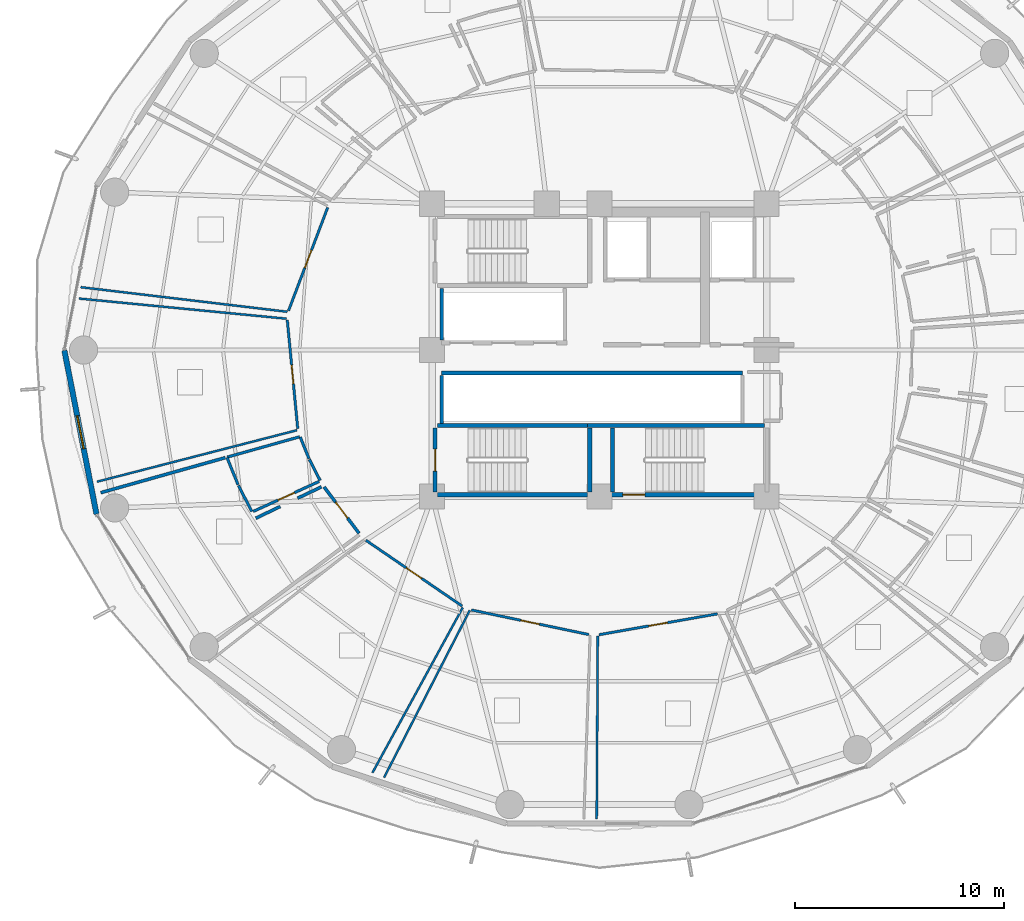
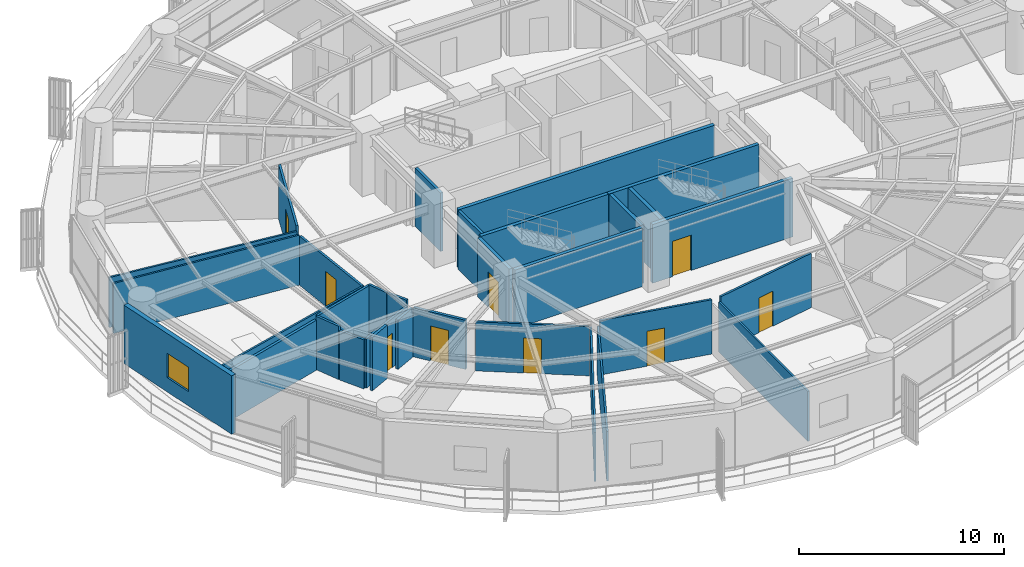
# One storey, part 28 of 36: 32 walls, 9 doors, 1 window, 10 openings.
"""IFC4 building model written with IfcOpenShell, lengths in metres."""

import ifcopenshell
import ifcopenshell.guid

model = None  # the IFC model being written
_history = None  # IfcOwnerHistory: only IFC2X3 demands one
_inside = {}  # id of a spatial element -> (the spatial element, [elements in it])
_under = {}  # id of a project, library or spatial element -> (it, [spatial elements below it])
_declared = {}  # id of a project -> (the project, [libraries it declares])
_typed = {}  # id of a type object -> (the type object, [elements of that type])
_made_of = {}  # id of a material, layer set ... -> (it, [elements and type objects made of it])


def new_model(schema):
    """Start an empty IFC model of exactly this schema.

    Asked for "IFC4X3", IfcOpenShell would pick the latest addendum, in which some entities
    have other attributes; the version numbers below select the first issue.
    IFC2X3 requires an IfcOwnerHistory on every rooted entity: one is made here for all.
    """
    global model, _history
    if schema == "IFC4X3":
        model = ifcopenshell.file(schema_version=(4, 3, 0, 0))
    else:
        model = ifcopenshell.file(schema=schema)
    _inside.clear()
    _under.clear()
    _declared.clear()
    _typed.clear()
    _made_of.clear()
    _history = None
    if model.schema == "IFC2X3":
        org = make("IfcOrganization", Name="unknown")
        user = make(
            "IfcPersonAndOrganization",
            ThePerson=make("IfcPerson", FamilyName="unknown"),
            TheOrganization=org,
        )
        app = make(
            "IfcApplication",
            ApplicationDeveloper=org,
            Version="unknown",
            ApplicationFullName="unknown",
            ApplicationIdentifier="unknown",
        )
        _history = make(
            "IfcOwnerHistory",
            OwningUser=user,
            OwningApplication=app,
            ChangeAction="ADDED",
            CreationDate=0,
        )
    return model


def make(cls, **values):
    """One entity of the class cls with the attributes given. An attribute that is None is left unset."""
    return model.create_entity(
        cls, **{name: value for name, value in values.items() if value is not None}
    )


def rooted(cls, **values):
    """An entity with a GlobalId (a new one), such as an element, a storey or a relation."""
    return make(cls, GlobalId=ifcopenshell.guid.new(), OwnerHistory=_history, **values)


def si_unit(unit_type, name, prefix=None):
    """IfcSIUnit, for example si_unit("LENGTHUNIT", "METRE", prefix="MILLI")."""
    return make("IfcSIUnit", UnitType=unit_type, Prefix=prefix, Name=name)


def assignment(units):
    """IfcUnitAssignment: the units of a project."""
    return None if units is None else make("IfcUnitAssignment", Units=units)


def point(xyz):
    """IfcCartesianPoint."""
    return None if xyz is None else make("IfcCartesianPoint", Coordinates=xyz)


def direction(xyz):
    """IfcDirection."""
    return None if xyz is None else make("IfcDirection", DirectionRatios=xyz)


def frame(location, z_axis=None, x_axis=None):
    """IfcAxis2Placement3D, a coordinate frame: its origin and axes. An axis left out is left unset."""
    return make(
        "IfcAxis2Placement3D",
        Location=point(location),
        Axis=direction(z_axis),
        RefDirection=direction(x_axis),
    )


def frame_2d(location, x_axis=None):
    """IfcAxis2Placement2D, a coordinate frame in the plane: its origin and x axis."""
    return make(
        "IfcAxis2Placement2D", Location=point(location), RefDirection=direction(x_axis)
    )


def origin():
    """The frame at (0, 0, 0) with its axes left unset."""
    return frame((0.0, 0.0, 0.0))


def place(relative_to, where):
    """IfcLocalPlacement: puts the frame where relative to a parent placement (None: the world)."""
    return make(
        "IfcLocalPlacement", PlacementRelTo=relative_to, RelativePlacement=where
    )


def context(
    kind, dimensions, precision=None, world=None, true_north=None, identifier=None
):
    """IfcGeometricRepresentationContext, for example the 3D "Model" context."""
    return make(
        "IfcGeometricRepresentationContext",
        ContextIdentifier=identifier,
        ContextType=kind,
        CoordinateSpaceDimension=dimensions,
        Precision=precision,
        WorldCoordinateSystem=world,
        TrueNorth=true_north,
    )


def subcontext(parent, identifier, kind, view, scale=None):
    """IfcGeometricRepresentationSubContext, for example "Body" below "Model"."""
    return make(
        "IfcGeometricRepresentationSubContext",
        ContextIdentifier=identifier,
        ContextType=kind,
        ParentContext=parent,
        TargetScale=scale,
        TargetView=view,
    )


def project(units=None, contexts=None):
    """IfcProject with its units and contexts."""
    return rooted(
        "IfcProject",
        Name="project",
        RepresentationContexts=contexts,
        UnitsInContext=assignment(units),
    )


def spatial(cls, under=None, at=None, **own):
    """A site, building, storey or space (cls), placed at a placement, below another one or the project."""
    s = rooted(cls, ObjectPlacement=at, **own)
    if under is not None:
        _under.setdefault(under.id(), (under, []))[1].append(s)
    return s


def profile(cls, at=None, kind="AREA", **sizes):
    """A parametric profile (cls). Its sizes go by their IFC names, for example OverallWidth=200.0."""
    return make(cls, ProfileType=kind, Position=at, **sizes)


def rectangle(**sizes):
    """IfcRectangleProfileDef."""
    return profile("IfcRectangleProfileDef", **sizes)


def extrude(swept, where, along, depth):
    """IfcExtrudedAreaSolid: the profile swept, set in the frame where, extruded along a direction by depth."""
    return make(
        "IfcExtrudedAreaSolid",
        SweptArea=swept,
        Position=where,
        ExtrudedDirection=direction(along),
        Depth=depth,
    )


def shape(context_of_items, identifier, shape_type, items):
    """IfcShapeRepresentation: the items that make up one representation, for example the "Body"."""
    return make(
        "IfcShapeRepresentation",
        ContextOfItems=context_of_items,
        RepresentationIdentifier=identifier,
        RepresentationType=shape_type,
        Items=items,
    )


def material(Name=None, Category=None):
    """IfcMaterial."""
    return make("IfcMaterial", Name=Name, Category=Category)


def layer(
    of_material, thickness, ventilated=None, Name=None, Category=None, Priority=None
):
    """IfcMaterialLayer: one layer of a wall or slab, of a material (None: an air gap)."""
    return make(
        "IfcMaterialLayer",
        Material=of_material,
        LayerThickness=thickness,
        IsVentilated=ventilated,
        Name=Name,
        Category=Category,
        Priority=Priority,
    )


def layer_set(layers, Name=None):
    """IfcMaterialLayerSet."""
    return make("IfcMaterialLayerSet", MaterialLayers=layers, LayerSetName=Name)


def made_of(thing, what):
    """Note that an element or type object is made of a material, layer set ...; save() writes the relation."""
    if what is not None:
        _made_of.setdefault(what.id(), (what, []))[1].append(thing)
    return thing


def type_object(cls, material=None, **own):
    """A type object (cls), such as IfcWallType, which elements share."""
    return made_of(rooted(cls, **own), material)


def element(
    cls,
    number,
    at=None,
    inside=None,
    cuts=None,
    type_object=None,
    material=None,
    context=None,
    identifier="Body",
    shape_type=None,
    held_by="IfcProductDefinitionShape",
    body=None,
    shapes=None,
    **own,
):
    """One element of the class cls, such as IfcWall. Its Tag is "e" and its number.

    at: its placement. inside: the storey or other place that contains it. cuts: it is an
    opening in that element (IfcRelVoidsElement). A single representation is given by context,
    identifier, shape_type and body (its items); several are given by shapes. held_by: the class
    of the entity that holds the representations. save() writes the other relations.
    """
    e = rooted(cls, Tag="e%d" % number, ObjectPlacement=at, **own)
    if body is not None:
        shapes = [shape(context, identifier, shape_type, body)]
    if shapes is not None:
        e.Representation = make(held_by, Representations=shapes)
    if inside is not None:
        _inside.setdefault(inside.id(), (inside, []))[1].append(e)
    if cuts is not None:
        rooted(
            "IfcRelVoidsElement", RelatingBuildingElement=cuts, RelatedOpeningElement=e
        )
    if type_object is not None:
        _typed.setdefault(type_object.id(), (type_object, []))[1].append(e)
    return made_of(e, material)


def fill(opening, filler):
    """IfcRelFillsElement: the door or window that sits in an opening."""
    return rooted(
        "IfcRelFillsElement",
        RelatingOpeningElement=opening,
        RelatedBuildingElement=filler,
    )


def aggregate(whole, parts):
    """IfcRelAggregates: a whole, such as a stair, and the parts it consists of."""
    return rooted("IfcRelAggregates", RelatingObject=whole, RelatedObjects=parts)


def save(model, path):
    """Write the relations noted so far, then the file.

    IfcRelAggregates (storeys below a building ...), IfcRelContainedInSpatialStructure (elements
    in a storey), IfcRelDefinesByType, IfcRelAssociatesMaterial and IfcRelDeclares: one each for
    every whole, place, type object, material and project.
    """
    for whole, parts in _under.values():
        aggregate(whole, parts)
    for where, things in _inside.values():
        rooted(
            "IfcRelContainedInSpatialStructure",
            RelatedElements=things,
            RelatingStructure=where,
        )
    for kind, things in _typed.values():
        rooted("IfcRelDefinesByType", RelatedObjects=things, RelatingType=kind)
    for what, things in _made_of.values():
        rooted("IfcRelAssociatesMaterial", RelatedObjects=things, RelatingMaterial=what)
    for by, libraries in _declared.values():
        rooted("IfcRelDeclares", RelatingContext=by, RelatedDefinitions=libraries)
    model.write(path)


model = new_model("IFC4")

# Units and contexts
model_context = context("Model", 3, precision=1e-05, world=origin(), true_north=direction((0.0, 1.0)))
body_context = subcontext(model_context, "Body", "Model", "MODEL_VIEW")
ifc_project = project(units=[si_unit("LENGTHUNIT", "METRE"), si_unit("AREAUNIT", "SQUARE_METRE"), si_unit("VOLUMEUNIT", "CUBIC_METRE"), si_unit("PLANEANGLEUNIT", "RADIAN"), si_unit("MASSUNIT", "GRAM", prefix="KILO")], contexts=[model_context])

# Site, building, storey
site_placement = place(None, origin())
site = spatial("IfcSite", under=ifc_project, at=site_placement, CompositionType="ELEMENT")
building_placement = place(site_placement, origin())
building = spatial("IfcBuilding", under=site, at=building_placement, Name="Kelanora Arch Commons", CompositionType="ELEMENT")
storey_placement = place(building_placement, frame((0.0, 0.0, 102.60009765625)))
storey = spatial("IfcBuildingStorey", under=building, at=storey_placement, Name="L26", CompositionType="ELEMENT", Elevation=102.60009765625)

# Walls
ifc_material_1 = material(Name="Autoclaved aerated concrete blockwork with fire plaster", Category="masonry")
ifc_layer_1 = layer(ifc_material_1, 0.14990234375)
ifc_layer_set_1 = layer_set([ifc_layer_1], Name="Autoclaved aerated concrete blockwork with fire plaster")
wall_type_1 = type_object("IfcWallType", Name="W-COMP-150", PredefinedType="PARTITIONING", material=ifc_layer_set_1)
wall_1_placement = place(storey_placement, frame((66.4599609375, 58.47998046875, 0.0), z_axis=(0.0, 0.0, 1.0), x_axis=(0.0, 1.0, 0.0)))
element("IfcWall", 1, at=wall_1_placement, inside=storey, type_object=wall_type_1, Name="Low-Rise Lift Bank West Wall L26", PredefinedType="PARTITIONING", context=body_context, shape_type="SweptSolid", body=[
    extrude(rectangle(XDim=2.4599609375, YDim=0.14990234375, at=frame_2d((1.22998046875, 0.0))), origin(), (0.0, 0.0, 1.0), 3.47998046875),
])
wall_2_placement = place(storey_placement, frame((66.4599609375, 54.47998046875, 0.0), z_axis=(0.0, 0.0, 1.0), x_axis=(0.0, 1.0, 0.0)))
element("IfcWall", 2, at=wall_2_placement, inside=storey, type_object=wall_type_1, Name="South Lift Bank West Wall L26", PredefinedType="PARTITIONING", context=body_context, shape_type="SweptSolid", body=[
    extrude(rectangle(XDim=2.2900390625, YDim=0.14990234375, at=frame_2d((1.14501953125, 0.0))), origin(), (0.0, 0.0, 1.0), 3.47998046875),
])

# Wall, opening, door
wall_3_placement = place(storey_placement, frame((60.8271484375, 51.4501953125, 0.0), z_axis=(0.0, 0.0, 1.0), x_axis=(0.602330864847, -0.798246534131, 0.0)))
wall_3 = element("IfcWall", 3, at=wall_3_placement, inside=storey, type_object=wall_type_1, Name="Co-Living Studio L26-09 Entry Partition", PredefinedType="PARTITIONING", context=body_context, shape_type="SweptSolid", body=[
    extrude(rectangle(XDim=2.77880859375, YDim=0.14990234375, at=frame_2d((1.389404296875, 0.0))), origin(), (0.0, 0.0, 1.0), 2.9248046875),
])
opening_1_placement = place(wall_3_placement, frame((0.9140625, 0.0, 0.0)))
opening_1 = element("IfcOpeningElement", 4, at=opening_1_placement, cuts=wall_3, Name="Opening D-CLU1", PredefinedType="OPENING", context=body_context, shape_type="SweptSolid", body=[
    extrude(rectangle(XDim=0.949951171875, YDim=2.080078125, at=frame_2d((0.47509765625, 1.0400390625))), frame((0.0, 0.0849609375, 0.0), z_axis=(0.0, -1.0, 0.0), x_axis=(1.0, 0.0, 0.0)), (0.0, 0.0, 1.0), 0.169921875),
])
ifc_material_2 = material(Name="Solid-core acoustic timber cluster entry fire door", Category="wood")
door_type_1 = type_object("IfcDoorType", Name="D-CLU-95", OperationType="NOTDEFINED", PredefinedType="DOOR", material=ifc_material_2)
door_1_placement = place(opening_1_placement, origin())
door_1 = element("IfcDoor", 5, at=door_1_placement, inside=storey, type_object=door_type_1, Name="Co-Living Studio L26-09 Door", OperationType="SINGLE_SWING_LEFT", OverallHeight=2.080078125, OverallWidth=0.949951171875, PredefinedType="DOOR", context=body_context, shape_type="SweptSolid", body=[
    extrude(rectangle(XDim=0.949951171875, YDim=2.080078125, at=frame_2d((0.47509765625, 1.0400390625))), frame((0.0, 0.02490234375, 0.0), z_axis=(0.0, -1.0, 0.0), x_axis=(1.0, 0.0, 0.0)), (0.0, 0.0, 1.0), 0.050048828125),
])
fill(opening_1, door_1)

# Walls
wall_4_placement = place(storey_placement, frame((50.1455078125, 51.17578125, 0.0), z_axis=(0.0, 0.0, 1.0), x_axis=(0.962685643461, 0.270622157028, 0.0)))
element("IfcWall", 6, at=wall_4_placement, inside=storey, type_object=wall_type_1, Name="Co-Living Studio L26-09 Enclosure Partition 5", PredefinedType="PARTITIONING", context=body_context, shape_type="SweptSolid", body=[
    extrude(rectangle(XDim=6.18701171875, YDim=0.14990234375, at=frame_2d((3.093505859375, 0.0))), origin(), (0.0, 0.0, 1.0), 2.974853515625),
])
wall_5_placement = place(storey_placement, frame((57.55908203125, 49.953125, 0.0), z_axis=(0.0, 0.0, 1.0), x_axis=(0.902185129063, 0.431349038364, 0.0)))
element("IfcWall", 7, at=wall_5_placement, inside=storey, type_object=wall_type_1, Name="Co-Living Studio L26-09 Enclosure Partition 7", PredefinedType="PARTITIONING", context=body_context, shape_type="SweptSolid", body=[
    extrude(rectangle(XDim=1.29833984375, YDim=0.14990234375, at=frame_2d((0.649169921875, 0.0))), origin(), (0.0, 0.0, 1.0), 3.1748046875),
])
wall_6_placement = place(storey_placement, frame((59.560546875, 50.909912109375, 0.0), z_axis=(0.0, 0.0, 1.0), x_axis=(0.902228812368, 0.431257660955, 0.0)))
element("IfcWall", 8, at=wall_6_placement, inside=storey, type_object=wall_type_1, Name="Co-Living Studio L26-09 Enclosure Partition 7", PredefinedType="PARTITIONING", context=body_context, shape_type="SweptSolid", body=[
    extrude(rectangle(XDim=1.266357421875, YDim=0.14990234375, at=frame_2d((0.63330078125, 0.0))), origin(), (0.0, 0.0, 1.0), 2.9248046875),
])

# Wall, opening, window
ifc_material_3 = material(Name="Precast concrete C40/50 with terracotta rainscreen", Category="masonry")
ifc_layer_2 = layer(ifc_material_3, 0.260009765625)
ifc_layer_set_2 = layer_set([ifc_layer_2], Name="Precast concrete C40/50 with terracotta rainscreen")
wall_type_2 = type_object("IfcWallType", Name="W-EXT-TC", PredefinedType="SOLIDWALL", material=ifc_layer_set_2)
wall_7_placement = place(storey_placement, frame((48.40283203125, 57.9853515625, 0.0), z_axis=(0.0, 0.0, 1.0), x_axis=(0.192581843632, -0.981280914674, 0.0)))
wall_7 = element("IfcWall", 9, at=wall_7_placement, inside=storey, type_object=wall_type_2, Name="Terracotta Exterior Wall L26-B09", PredefinedType="SOLIDWALL", context=body_context, shape_type="SweptSolid", body=[
    extrude(rectangle(XDim=7.986572265625, YDim=0.260009765625, at=frame_2d((3.9931640625, 0.0))), origin(), (0.0, 0.0, 1.0), 3.474853515625),
])
opening_2_placement = place(wall_7_placement, frame((3.193115234375, 0.0, 0.85009765625)))
opening_2 = element("IfcOpeningElement", 10, at=opening_2_placement, cuts=wall_7, Name="Opening WN-01", PredefinedType="OPENING", context=body_context, shape_type="SweptSolid", body=[
    extrude(rectangle(XDim=1.60009765625, YDim=1.449951171875, at=frame_2d((0.800048828125, 0.72509765625))), frame((0.0, 0.14013671875, 0.0), z_axis=(0.0, -1.0, 0.0), x_axis=(1.0, 0.0, 0.0)), (0.0, 0.0, 1.0), 0.280029296875),
])
ifc_material_4 = material(Name="Terracotta-anodised aluminium frame with operable low-E glazing", Category="masonry")
window_type = type_object("IfcWindowType", Name="WIN-CL-18", PartitioningType="DOUBLE_PANEL_VERTICAL", PredefinedType="WINDOW", material=ifc_material_4)
window_placement = place(opening_2_placement, origin())
window = element("IfcWindow", 11, at=window_placement, inside=storey, type_object=window_type, Name="Co-Living Operable Window L26-B09", OverallHeight=1.449951171875, OverallWidth=1.60009765625, PartitioningType="SINGLE_PANEL", PredefinedType="WINDOW", context=body_context, shape_type="SweptSolid", body=[
    extrude(rectangle(XDim=1.60009765625, YDim=1.449951171875, at=frame_2d((0.800048828125, 0.72509765625))), frame((0.0, 0.030029296875, 0.0), z_axis=(0.0, -1.0, 0.0), x_axis=(1.0, 0.0, 0.0)), (0.0, 0.0, 1.0), 0.06005859375),
])
fill(opening_2, window)

# Walls
ifc_material_5 = material(Name="Concrete C40/50", Category="concrete")
ifc_layer_3 = layer(ifc_material_5, 0.199951171875)
ifc_layer_set_3 = layer_set([ifc_layer_3], Name="Concrete C40/50")
wall_type_3 = type_object("IfcWallType", Name="W-FFL-200", PredefinedType="SOLIDWALL", material=ifc_layer_set_3)
wall_8_placement = place(storey_placement, frame((66.449951171875, 56.89990234375, 0.0), z_axis=(0.0, 0.0, 1.0), x_axis=(1.0, 0.0, 0.0)))
element("IfcWall", 12, at=wall_8_placement, inside=storey, type_object=wall_type_3, Name="Mid/High/Express Lift Shaft Front L26", PredefinedType="SOLIDWALL", context=body_context, shape_type="SweptSolid", body=[
    extrude(rectangle(XDim=14.400146484375, YDim=0.199951171875, at=frame_2d((7.2001953125, 0.0))), origin(), (0.0, 0.0, 1.0), 3.47998046875),
])
ifc_material_6 = material(Name="Lightweight fire-rated acoustic stud partition")
ifc_layer_4 = layer(ifc_material_6, 0.10009765625)
ifc_layer_set_4 = layer_set([ifc_layer_4], Name="Lightweight fire-rated acoustic stud partition")
wall_type_4 = type_object("IfcWallType", Name="W-PART-100", PredefinedType="PARTITIONING", material=ifc_layer_set_4)
wall_9_placement = place(storey_placement, frame((59.06640625, 59.830810546875, 0.0), z_axis=(0.0, 0.0, 1.0), x_axis=(-0.99298532521, 0.118237658624, 0.0)))
element("IfcWall", 13, at=wall_9_placement, inside=storey, type_object=wall_type_4, Name="Social Sky Lounge L26-07 Enclosure Partition 2", PredefinedType="PARTITIONING", context=body_context, shape_type="SweptSolid", body=[
    extrude(rectangle(XDim=9.950439453125, YDim=0.10009765625, at=frame_2d((4.97509765625, 0.0))), origin(), (0.0, 0.0, 1.0), 2.974853515625),
])
wall_10_placement = place(storey_placement, frame((59.535400390625, 54.1650390625, 0.0), z_axis=(0.0, 0.0, 1.0), x_axis=(-0.968404670054, -0.249384031201, 0.0)))
element("IfcWall", 14, at=wall_10_placement, inside=storey, type_object=wall_type_4, Name="Quiet Seminar Study Room L26-08 Enclosure Partition 2", PredefinedType="PARTITIONING", context=body_context, shape_type="SweptSolid", body=[
    extrude(rectangle(XDim=9.880859375, YDim=0.10009765625, at=frame_2d((4.9404296875, 0.0))), origin(), (0.0, 0.0, 1.0), 2.974853515625),
])
wall_11_placement = place(storey_placement, frame((49.11083984375, 60.463134765625, 0.0), z_axis=(0.0, 0.0, 1.0), x_axis=(0.995310801703, -0.096728527399, 0.0)))
element("IfcWall", 15, at=wall_11_placement, inside=storey, type_object=wall_type_4, Name="Quiet Seminar Study Room L26-08 Enclosure Partition 4", PredefinedType="PARTITIONING", context=body_context, shape_type="SweptSolid", body=[
    extrude(rectangle(XDim=9.95703125, YDim=0.10009765625, at=frame_2d((4.978515625, 0.0))), origin(), (0.0, 0.0, 1.0), 2.974853515625),
])
wall_12_placement = place(storey_placement, frame((67.462890625, 45.682861328125, 0.0), z_axis=(0.0, 0.0, 1.0), x_axis=(-0.479571724153, -0.87750268455, 0.0)))
element("IfcWall", 16, at=wall_12_placement, inside=storey, type_object=wall_type_4, Name="Communal Dining and Social Hall L26-10 Enclosure Partition 2", PredefinedType="PARTITIONING", context=body_context, shape_type="SweptSolid", body=[
    extrude(rectangle(XDim=9.007080078125, YDim=0.10009765625, at=frame_2d((4.50341796875, 0.0))), origin(), (0.0, 0.0, 1.0), 2.9248046875),
])
wall_13_placement = place(storey_placement, frame((63.697265625, 37.547607421875, 0.0), z_axis=(0.0, 0.0, 1.0), x_axis=(0.456266444918, 0.889843205987, 0.0)))
element("IfcWall", 17, at=wall_13_placement, inside=storey, type_object=wall_type_4, Name="Quiet Seminar Study Room L26-11 Enclosure Partition 4", PredefinedType="PARTITIONING", context=body_context, shape_type="SweptSolid", body=[
    extrude(rectangle(XDim=8.984619140625, YDim=0.10009765625, at=frame_2d((4.4921875, 0.0))), origin(), (0.0, 0.0, 1.0), 2.9248046875),
])
wall_14_placement = place(storey_placement, frame((73.869140625, 35.56005859375, 0.0), z_axis=(0.0, 0.0, 1.0), x_axis=(0.005901573079, 0.999982585566, 0.0)))
element("IfcWall", 18, at=wall_14_placement, inside=storey, type_object=wall_type_4, Name="Quiet Seminar Study Room L26-12 Enclosure Partition 4", PredefinedType="PARTITIONING", context=body_context, shape_type="SweptSolid", body=[
    extrude(rectangle(XDim=8.770263671875, YDim=0.10009765625, at=frame_2d((4.38525390625, 0.0))), origin(), (0.0, 0.0, 1.0), 2.974853515625),
])

# Wall, opening, door
ifc_material_7 = material(Name="Acoustic twin-stud fire-rated gypsum partition")
ifc_layer_5 = layer(ifc_material_7, 0.1201171875)
ifc_layer_set_5 = layer_set([ifc_layer_5], Name="Acoustic twin-stud fire-rated gypsum partition")
wall_type_5 = type_object("IfcWallType", Name="W-PART-120", PredefinedType="PARTITIONING", material=ifc_layer_set_5)
wall_15_placement = place(storey_placement, frame((61.001708984375, 64.82080078125, 0.0), z_axis=(0.0, 0.0, 1.0), x_axis=(-0.354853458438, -0.934921934193, 0.0)))
wall_15 = element("IfcWall", 19, at=wall_15_placement, inside=storey, type_object=wall_type_5, Name="Social Sky Lounge L26-07 Entry Partition", PredefinedType="PARTITIONING", context=body_context, shape_type="SweptSolid", body=[
    extrude(rectangle(XDim=5.282470703125, YDim=0.1201171875, at=frame_2d((2.64111328125, 0.0))), origin(), (0.0, 0.0, 1.0), 3.23486328125),
])
opening_3_placement = place(wall_15_placement, frame((2.19091796875, 0.0, 0.0)))
opening_3 = element("IfcOpeningElement", 20, at=opening_3_placement, cuts=wall_15, Name="Opening D-RM1", PredefinedType="OPENING", context=body_context, shape_type="SweptSolid", body=[
    extrude(rectangle(XDim=0.89990234375, YDim=2.080078125, at=frame_2d((0.449951171875, 1.0400390625))), frame((0.0, 0.070068359375, 0.0), z_axis=(0.0, -1.0, 0.0), x_axis=(1.0, 0.0, 0.0)), (0.0, 0.0, 1.0), 0.14013671875),
])
ifc_material_8 = material(Name="Acoustic fire-rated timber study and lounge door", Category="wood")
door_type_2 = type_object("IfcDoorType", Name="D-ROOM-90", OperationType="NOTDEFINED", PredefinedType="DOOR", material=ifc_material_8)
door_2_placement = place(opening_3_placement, origin())
door_2 = element("IfcDoor", 21, at=door_2_placement, inside=storey, type_object=door_type_2, Name="Social Sky Lounge L26-07 Door", OperationType="SINGLE_SWING_RIGHT", OverallHeight=2.080078125, OverallWidth=0.89990234375, PredefinedType="DOOR", context=body_context, shape_type="SweptSolid", body=[
    extrude(rectangle(XDim=0.89990234375, YDim=2.080078125, at=frame_2d((0.449951171875, 1.0400390625))), frame((0.0, 0.02490234375, 0.0), z_axis=(0.0, -1.0, 0.0), x_axis=(1.0, 0.0, 0.0)), (0.0, 0.0, 1.0), 0.050048828125),
])
fill(opening_3, door_2)

wall_16_placement = place(storey_placement, frame((59.06689453125, 59.436279296875, 0.0), z_axis=(0.0, 0.0, 1.0), x_axis=(0.095913591475, -0.995389663886, 0.0)))
wall_16 = element("IfcWall", 22, at=wall_16_placement, inside=storey, type_object=wall_type_5, Name="Quiet Seminar Study Room L26-08 Entry Partition", PredefinedType="PARTITIONING", context=body_context, shape_type="SweptSolid", body=[
    extrude(rectangle(XDim=5.225830078125, YDim=0.1201171875, at=frame_2d((2.61279296875, 0.0))), origin(), (0.0, 0.0, 1.0), 2.9248046875),
])
opening_4_placement = place(wall_16_placement, frame((2.1630859375, 0.0, 0.0)))
opening_4 = element("IfcOpeningElement", 23, at=opening_4_placement, cuts=wall_16, Name="Opening D-RM1", PredefinedType="OPENING", context=body_context, shape_type="SweptSolid", body=[
    extrude(rectangle(XDim=0.89990234375, YDim=2.080078125, at=frame_2d((0.449951171875, 1.0400390625))), frame((0.0, 0.070068359375, 0.0), z_axis=(0.0, -1.0, 0.0), x_axis=(1.0, 0.0, 0.0)), (0.0, 0.0, 1.0), 0.14013671875),
])
door_3_placement = place(opening_4_placement, origin())
door_3 = element("IfcDoor", 24, at=door_3_placement, inside=storey, type_object=door_type_2, Name="Quiet Seminar Study Room L26-08 Door", OperationType="SINGLE_SWING_LEFT", OverallHeight=2.080078125, OverallWidth=0.89990234375, PredefinedType="DOOR", context=body_context, shape_type="SweptSolid", body=[
    extrude(rectangle(XDim=0.89990234375, YDim=2.080078125, at=frame_2d((0.449951171875, 1.0400390625))), frame((0.0, 0.02490234375, 0.0), z_axis=(0.0, -1.0, 0.0), x_axis=(1.0, 0.0, 0.0)), (0.0, 0.0, 1.0), 0.050048828125),
])
fill(opening_4, door_3)

wall_17_placement = place(storey_placement, frame((62.827392578125, 48.899169921875, 0.0), z_axis=(0.0, 0.0, 1.0), x_axis=(0.825618475233, -0.564228795219, 0.0)))
wall_17 = element("IfcWall", 25, at=wall_17_placement, inside=storey, type_object=wall_type_5, Name="Communal Dining and Social Hall L26-10 Entry Partition", PredefinedType="PARTITIONING", context=body_context, shape_type="SweptSolid", body=[
    extrude(rectangle(XDim=5.577880859375, YDim=0.1201171875, at=frame_2d((2.7890625, 0.0))), origin(), (0.0, 0.0, 1.0), 2.9248046875),
])
opening_5_placement = place(wall_17_placement, frame((2.339111328125, 0.0, 0.0)))
opening_5 = element("IfcOpeningElement", 26, at=opening_5_placement, cuts=wall_17, Name="Opening D-RM1", PredefinedType="OPENING", context=body_context, shape_type="SweptSolid", body=[
    extrude(rectangle(XDim=0.89990234375, YDim=2.080078125, at=frame_2d((0.449951171875, 1.0400390625))), frame((0.0, 0.070068359375, 0.0), z_axis=(0.0, -1.0, 0.0), x_axis=(1.0, 0.0, 0.0)), (0.0, 0.0, 1.0), 0.14013671875),
])
door_4_placement = place(opening_5_placement, origin())
door_4 = element("IfcDoor", 27, at=door_4_placement, inside=storey, type_object=door_type_2, Name="Communal Dining and Social Hall L26-10 Door", OperationType="SINGLE_SWING_RIGHT", OverallHeight=2.080078125, OverallWidth=0.89990234375, PredefinedType="DOOR", context=body_context, shape_type="SweptSolid", body=[
    extrude(rectangle(XDim=0.89990234375, YDim=2.080078125, at=frame_2d((0.449951171875, 1.0400390625))), frame((0.0, 0.02490234375, 0.0), z_axis=(0.0, -1.0, 0.0), x_axis=(1.0, 0.0, 0.0)), (0.0, 0.0, 1.0), 0.050048828125),
])
fill(opening_5, door_4)

wall_18_placement = place(storey_placement, frame((67.873779296875, 45.565673828125, 0.0), z_axis=(0.0, 0.0, 1.0), x_axis=(0.978759890472, -0.205009943184, 0.0)))
wall_18 = element("IfcWall", 28, at=wall_18_placement, inside=storey, type_object=wall_type_5, Name="Quiet Seminar Study Room L26-11 Entry Partition", PredefinedType="PARTITIONING", context=body_context, shape_type="SweptSolid", body=[
    extrude(rectangle(XDim=5.74365234375, YDim=0.1201171875, at=frame_2d((2.871826171875, 0.0))), origin(), (0.0, 0.0, 1.0), 3.23486328125),
])
opening_6_placement = place(wall_18_placement, frame((2.422119140625, 0.0, 0.0)))
opening_6 = element("IfcOpeningElement", 29, at=opening_6_placement, cuts=wall_18, Name="Opening D-RM1", PredefinedType="OPENING", context=body_context, shape_type="SweptSolid", body=[
    extrude(rectangle(XDim=0.89990234375, YDim=2.080078125, at=frame_2d((0.449951171875, 1.0400390625))), frame((0.0, 0.070068359375, 0.0), z_axis=(0.0, -1.0, 0.0), x_axis=(1.0, 0.0, 0.0)), (0.0, 0.0, 1.0), 0.14013671875),
])
door_5_placement = place(opening_6_placement, origin())
door_5 = element("IfcDoor", 30, at=door_5_placement, inside=storey, type_object=door_type_2, Name="Quiet Seminar Study Room L26-11 Door", OperationType="SINGLE_SWING_LEFT", OverallHeight=2.080078125, OverallWidth=0.89990234375, PredefinedType="DOOR", context=body_context, shape_type="SweptSolid", body=[
    extrude(rectangle(XDim=0.89990234375, YDim=2.080078125, at=frame_2d((0.449951171875, 1.0400390625))), frame((0.0, 0.02490234375, 0.0), z_axis=(0.0, -1.0, 0.0), x_axis=(1.0, 0.0, 0.0)), (0.0, 0.0, 1.0), 0.050048828125),
])
fill(opening_6, door_5)

wall_19_placement = place(storey_placement, frame((73.97998046875, 44.38037109375, 0.0), z_axis=(0.0, 0.0, 1.0), x_axis=(0.984819435921, 0.17358190756, 0.0)))
wall_19 = element("IfcWall", 31, at=wall_19_placement, inside=storey, type_object=wall_type_5, Name="Quiet Seminar Study Room L26-12 Entry Partition", PredefinedType="PARTITIONING", context=body_context, shape_type="SweptSolid", body=[
    extrude(rectangle(XDim=5.751220703125, YDim=0.1201171875, at=frame_2d((2.87548828125, 0.0))), origin(), (0.0, 0.0, 1.0), 3.23486328125),
])
opening_7_placement = place(wall_19_placement, frame((2.426025390625, 0.0, 0.0)))
opening_7 = element("IfcOpeningElement", 32, at=opening_7_placement, cuts=wall_19, Name="Opening D-RM1", PredefinedType="OPENING", context=body_context, shape_type="SweptSolid", body=[
    extrude(rectangle(XDim=0.89990234375, YDim=2.080078125, at=frame_2d((0.449951171875, 1.0400390625))), frame((0.0, 0.070068359375, 0.0), z_axis=(0.0, -1.0, 0.0), x_axis=(1.0, 0.0, 0.0)), (0.0, 0.0, 1.0), 0.14013671875),
])
door_6_placement = place(opening_7_placement, origin())
door_6 = element("IfcDoor", 33, at=door_6_placement, inside=storey, type_object=door_type_2, Name="Quiet Seminar Study Room L26-12 Door", OperationType="SINGLE_SWING_RIGHT", OverallHeight=2.080078125, OverallWidth=0.89990234375, PredefinedType="DOOR", context=body_context, shape_type="SweptSolid", body=[
    extrude(rectangle(XDim=0.89990234375, YDim=2.080078125, at=frame_2d((0.449951171875, 1.0400390625))), frame((0.0, 0.02490234375, 0.0), z_axis=(0.0, -1.0, 0.0), x_axis=(1.0, 0.0, 0.0)), (0.0, 0.0, 1.0), 0.050048828125),
])
fill(opening_7, door_6)

ifc_layer_6 = layer(ifc_material_5, 0.199951171875)
ifc_layer_set_6 = layer_set([ifc_layer_6], Name="Concrete C40/50")
wall_type_6 = type_object("IfcWallType", Name="W-STAIR-200", PredefinedType="SHEAR", material=ifc_layer_set_6)
wall_20_placement = place(storey_placement, frame((74.0, 51.080078125, 0.0), z_axis=(0.0, 0.0, 1.0), x_axis=(1.0, 0.0, 0.0)))
wall_20 = element("IfcWall", 34, at=wall_20_placement, inside=storey, type_object=wall_type_6, Name="Stair ST-T2 Shaft Wall S L26", PredefinedType="SHEAR", context=body_context, shape_type="SweptSolid", body=[
    extrude(rectangle(XDim=7.89990234375, YDim=0.199951171875, at=frame_2d((3.949951171875, 0.0))), origin(), (0.0, 0.0, 1.0), 3.489990234375),
])
opening_8_placement = place(wall_20_placement, frame((1.1201171875, 0.0, 0.0)))
opening_8 = element("IfcOpeningElement", 35, at=opening_8_placement, cuts=wall_20, Name="Opening D-ST1", PredefinedType="OPENING", context=body_context, shape_type="SweptSolid", body=[
    extrude(rectangle(XDim=1.050048828125, YDim=2.10009765625, at=frame_2d((0.52490234375, 1.050048828125))), frame((0.0, 0.10986328125, 0.0), z_axis=(0.0, -1.0, 0.0), x_axis=(1.0, 0.0, 0.0)), (0.0, 0.0, 1.0), 0.219970703125),
])
ifc_material_9 = material(Name="Steel fire-rated stairwell escape door", Category="steel")
door_type_3 = type_object("IfcDoorType", Name="D-STAIR-110", OperationType="NOTDEFINED", PredefinedType="DOOR", material=ifc_material_9)
door_7_placement = place(opening_8_placement, origin())
door_7 = element("IfcDoor", 36, at=door_7_placement, inside=storey, type_object=door_type_3, Name="Stair ST-T2 Escape Door L26", OperationType="SINGLE_SWING_LEFT", OverallHeight=2.10009765625, OverallWidth=1.050048828125, PredefinedType="DOOR", context=body_context, shape_type="SweptSolid", body=[
    extrude(rectangle(XDim=1.050048828125, YDim=2.10009765625, at=frame_2d((0.52490234375, 1.050048828125))), frame((0.0, 0.02490234375, 0.0), z_axis=(0.0, -1.0, 0.0), x_axis=(1.0, 0.0, 0.0)), (0.0, 0.0, 1.0), 0.050048828125),
])
fill(opening_8, door_7)

# Walls
wall_21_placement = place(storey_placement, frame((81.89990234375, 54.389892578125, 0.0), z_axis=(0.0, 0.0, 1.0), x_axis=(-1.0, 0.0, 0.0)))
element("IfcWall", 37, at=wall_21_placement, inside=storey, type_object=wall_type_6, Name="Stair ST-T2 Shaft Wall N L26", PredefinedType="SHEAR", context=body_context, shape_type="SweptSolid", body=[
    extrude(rectangle(XDim=8.4599609375, YDim=0.199951171875, at=frame_2d((4.22998046875, 0.0))), origin(), (0.0, 0.0, 1.0), 3.489990234375),
])
wall_22_placement = place(storey_placement, frame((74.6201171875, 54.27001953125, 0.0), z_axis=(0.0, 0.0, 1.0), x_axis=(0.0, -1.0, 0.0)))
element("IfcWall", 38, at=wall_22_placement, inside=storey, type_object=wall_type_6, Name="Stair ST-T2 Shaft Wall W L26", PredefinedType="SHEAR", context=body_context, shape_type="SweptSolid", body=[
    extrude(rectangle(XDim=3.070068359375, YDim=0.199951171875, at=frame_2d((1.53515625, 0.0))), origin(), (0.0, 0.0, 1.0), 3.489990234375),
])
wall_23_placement = place(storey_placement, frame((66.260009765625, 51.080078125, 0.0), z_axis=(0.0, 0.0, 1.0), x_axis=(1.0, 0.0, 0.0)))
element("IfcWall", 39, at=wall_23_placement, inside=storey, type_object=wall_type_6, Name="Stair ST-T3 Shaft Wall S L26", PredefinedType="SHEAR", context=body_context, shape_type="SweptSolid", body=[
    extrude(rectangle(XDim=7.159912109375, YDim=0.199951171875, at=frame_2d((3.580078125, 0.0))), origin(), (0.0, 0.0, 1.0), 3.489990234375),
])
wall_24_placement = place(storey_placement, frame((73.5400390625, 51.199951171875, 0.0), z_axis=(0.0, 0.0, 1.0), x_axis=(0.0, 1.0, 0.0)))
element("IfcWall", 40, at=wall_24_placement, inside=storey, type_object=wall_type_6, Name="Stair ST-T3 Shaft Wall E L26", PredefinedType="SHEAR", context=body_context, shape_type="SweptSolid", body=[
    extrude(rectangle(XDim=3.070068359375, YDim=0.199951171875, at=frame_2d((1.53515625, 0.0))), origin(), (0.0, 0.0, 1.0), 3.489990234375),
])
wall_25_placement = place(storey_placement, frame((73.419921875, 54.389892578125, 0.0), z_axis=(0.0, 0.0, 1.0), x_axis=(-1.0, 0.0, 0.0)))
element("IfcWall", 41, at=wall_25_placement, inside=storey, type_object=wall_type_6, Name="Stair ST-T3 Shaft Wall N L26", PredefinedType="SHEAR", context=body_context, shape_type="SweptSolid", body=[
    extrude(rectangle(XDim=7.159912109375, YDim=0.199951171875, at=frame_2d((3.580078125, 0.0))), origin(), (0.0, 0.0, 1.0), 3.489990234375),
])

# Wall, opening, door
wall_26_placement = place(storey_placement, frame((66.139892578125, 54.27001953125, 0.0), z_axis=(0.0, 0.0, 1.0), x_axis=(0.0, -1.0, 0.0)))
wall_26 = element("IfcWall", 42, at=wall_26_placement, inside=storey, type_object=wall_type_6, Name="Stair ST-T3 Shaft Wall W L26", PredefinedType="SHEAR", context=body_context, shape_type="SweptSolid", body=[
    extrude(rectangle(XDim=3.070068359375, YDim=0.199951171875, at=frame_2d((1.53515625, 0.0))), origin(), (0.0, 0.0, 1.0), 3.489990234375),
])
opening_9_placement = place(wall_26_placement, frame((1.010009765625, 0.0, 0.0)))
opening_9 = element("IfcOpeningElement", 43, at=opening_9_placement, cuts=wall_26, Name="Opening D-ST1", PredefinedType="OPENING", context=body_context, shape_type="SweptSolid", body=[
    extrude(rectangle(XDim=1.050048828125, YDim=2.10009765625, at=frame_2d((0.52490234375, 1.050048828125))), frame((0.0, 0.10986328125, 0.0), z_axis=(0.0, -1.0, 0.0), x_axis=(1.0, 0.0, 0.0)), (0.0, 0.0, 1.0), 0.219970703125),
])
door_8_placement = place(opening_9_placement, origin())
door_8 = element("IfcDoor", 44, at=door_8_placement, inside=storey, type_object=door_type_3, Name="Stair ST-T3 Escape Door L26", OperationType="SINGLE_SWING_LEFT", OverallHeight=2.10009765625, OverallWidth=1.050048828125, PredefinedType="DOOR", context=body_context, shape_type="SweptSolid", body=[
    extrude(rectangle(XDim=1.050048828125, YDim=2.10009765625, at=frame_2d((0.52490234375, 1.050048828125))), frame((0.0, 0.02490234375, 0.0), z_axis=(0.0, -1.0, 0.0), x_axis=(1.0, 0.0, 0.0)), (0.0, 0.0, 1.0), 0.050048828125),
])
fill(opening_9, door_8)

ifc_material_10 = material(Name="Moisture-resistant fire-rated cement-board plumbing wall")
ifc_layer_7 = layer(ifc_material_10, 0.1298828125)
ifc_layer_set_7 = layer_set([ifc_layer_7], Name="Moisture-resistant fire-rated cement-board plumbing wall")
wall_type_7 = type_object("IfcWallType", Name="W-WET-120", PredefinedType="PLUMBINGWALL", material=ifc_layer_set_7)
wall_27_placement = place(storey_placement, frame((60.594482421875, 51.714111328125, 0.0), z_axis=(0.0, 0.0, 1.0), x_axis=(-0.910380938799, -0.413771127885, 0.0)))
wall_27 = element("IfcWall", 45, at=wall_27_placement, inside=storey, type_object=wall_type_7, Name="En-Suite Shower WC L26-09 Entry Partition", PredefinedType="PLUMBINGWALL", context=body_context, shape_type="SweptSolid", body=[
    extrude(rectangle(XDim=3.46875, YDim=0.1298828125, at=frame_2d((1.734375, 0.0))), origin(), (0.0, 0.0, 1.0), 2.9248046875),
])
opening_10_placement = place(wall_27_placement, frame((1.303955078125, 0.0, 0.0)))
opening_10 = element("IfcOpeningElement", 46, at=opening_10_placement, cuts=wall_27, Name="Opening D-BT1", PredefinedType="OPENING", context=body_context, shape_type="SweptSolid", body=[
    extrude(rectangle(XDim=0.860107421875, YDim=2.050048828125, at=frame_2d((0.43017578125, 1.02490234375))), frame((0.0, 0.074951171875, 0.0), z_axis=(0.0, -1.0, 0.0), x_axis=(1.0, 0.0, 0.0)), (0.0, 0.0, 1.0), 0.14990234375),
])
ifc_material_11 = material(Name="Moisture-sealed fire-rated accessible bathroom door")
door_type_4 = type_object("IfcDoorType", Name="D-BATH-85", OperationType="NOTDEFINED", PredefinedType="DOOR", material=ifc_material_11)
door_9_placement = place(opening_10_placement, origin())
door_9 = element("IfcDoor", 47, at=door_9_placement, inside=storey, type_object=door_type_4, Name="En-Suite Shower WC L26-09 Door", OperationType="SINGLE_SWING_RIGHT", OverallHeight=2.050048828125, OverallWidth=0.860107421875, PredefinedType="DOOR", context=body_context, shape_type="SweptSolid", body=[
    extrude(rectangle(XDim=0.860107421875, YDim=2.050048828125, at=frame_2d((0.43017578125, 1.02490234375))), frame((0.0, 0.02490234375, 0.0), z_axis=(0.0, -1.0, 0.0), x_axis=(1.0, 0.0, 0.0)), (0.0, 0.0, 1.0), 0.050048828125),
])
fill(opening_10, door_9)

# Walls
wall_28_placement = place(storey_placement, frame((59.6884765625, 53.83740234375, 0.0), z_axis=(0.0, 0.0, 1.0), x_axis=(0.374466649307, -0.927240383372, 0.0)))
element("IfcWall", 48, at=wall_28_placement, inside=storey, type_object=wall_type_7, Name="En-Suite Shower WC L26-09 Enclosure Partition 1", PredefinedType="PLUMBINGWALL", context=body_context, shape_type="SweptSolid", body=[
    extrude(rectangle(XDim=1.121337890625, YDim=0.1298828125, at=frame_2d((0.560546875, 0.0))), origin(), (0.0, 0.0, 1.0), 3.23486328125),
])
wall_29_placement = place(storey_placement, frame((60.125, 52.76123046875, 0.0), z_axis=(0.0, 0.0, 1.0), x_axis=(0.456189291516, -0.889882762113, 0.0)))
element("IfcWall", 49, at=wall_29_placement, inside=storey, type_object=wall_type_7, Name="En-Suite Shower WC L26-09 Enclosure Partition 2", PredefinedType="PLUMBINGWALL", context=body_context, shape_type="SweptSolid", body=[
    extrude(rectangle(XDim=1.128662109375, YDim=0.1298828125, at=frame_2d((0.564453125, 0.0))), origin(), (0.0, 0.0, 1.0), 3.23486328125),
])
wall_30_placement = place(storey_placement, frame((57.372802734375, 50.271728515625, 0.0), z_axis=(0.0, 0.0, 1.0), x_axis=(-0.458147751042, 0.888876053348, 0.0)))
element("IfcWall", 50, at=wall_30_placement, inside=storey, type_object=wall_type_7, Name="En-Suite Shower WC L26-09 Enclosure Partition 4", PredefinedType="PLUMBINGWALL", context=body_context, shape_type="SweptSolid", body=[
    extrude(rectangle(XDim=1.40673828125, YDim=0.1298828125, at=frame_2d((0.703369140625, 0.0))), origin(), (0.0, 0.0, 1.0), 2.9248046875),
])
wall_31_placement = place(storey_placement, frame((56.71142578125, 51.55859375, 0.0), z_axis=(0.0, 0.0, 1.0), x_axis=(-0.376021150564, 0.926611080405, 0.0)))
element("IfcWall", 51, at=wall_31_placement, inside=storey, type_object=wall_type_7, Name="En-Suite Shower WC L26-09 Enclosure Partition 5", PredefinedType="PLUMBINGWALL", context=body_context, shape_type="SweptSolid", body=[
    extrude(rectangle(XDim=1.3984375, YDim=0.1298828125, at=frame_2d((0.69921875, 0.0))), origin(), (0.0, 0.0, 1.0), 3.1748046875),
])
wall_32_placement = place(storey_placement, frame((56.197265625, 52.87841796875, 0.0), z_axis=(0.0, 0.0, 1.0), x_axis=(0.962808829557, 0.270183563023, 0.0)))
element("IfcWall", 52, at=wall_32_placement, inside=storey, type_object=wall_type_7, Name="En-Suite Shower WC L26-09 Enclosure Partition 6", PredefinedType="PLUMBINGWALL", context=body_context, shape_type="SweptSolid", body=[
    extrude(rectangle(XDim=3.59814453125, YDim=0.1298828125, at=frame_2d((1.799072265625, 0.0))), origin(), (0.0, 0.0, 1.0), 3.1748046875),
])

save(model, "model.ifc")
